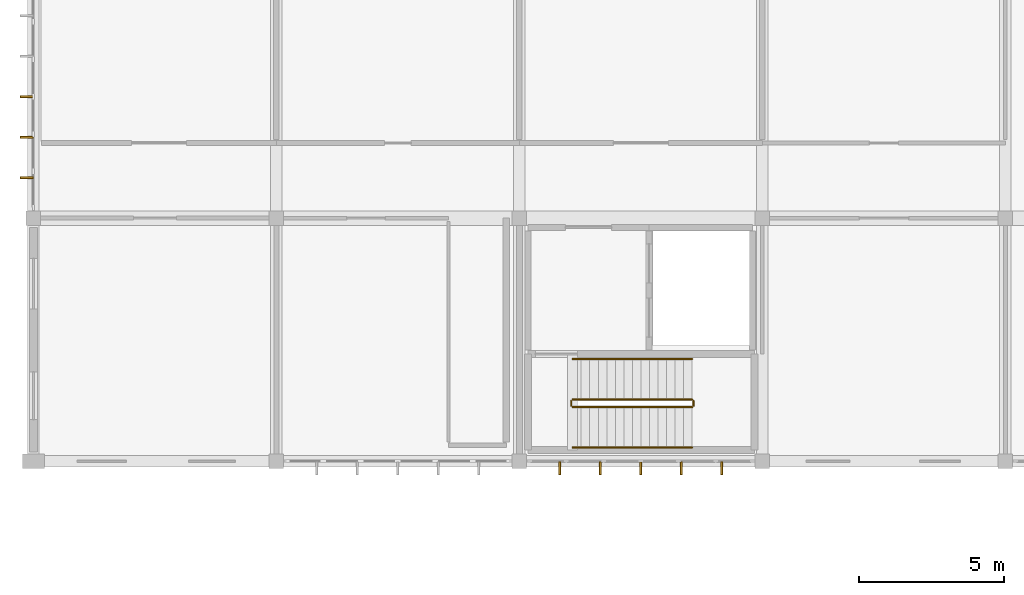
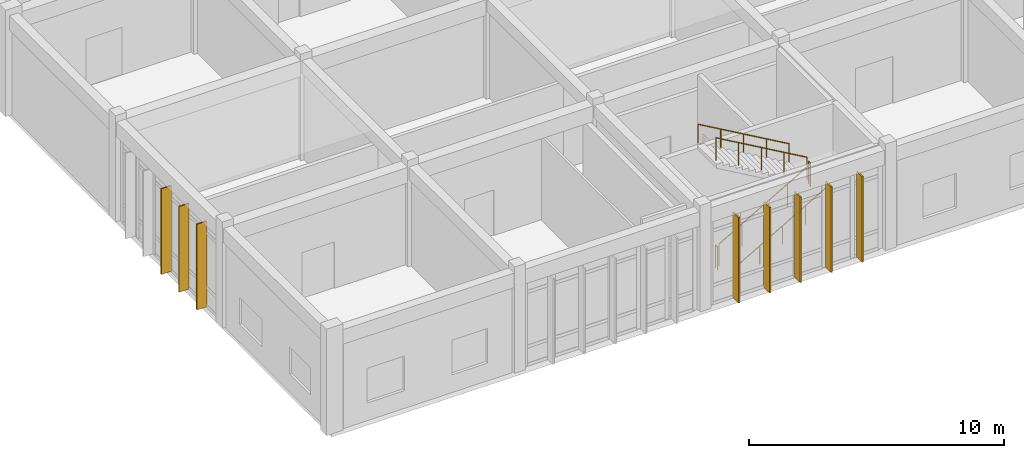
# One storey, part 116 of 134: 8 shading devices, 6 railings.
"""IFC4 building model written with IfcOpenShell, lengths in metres."""

from ifc_helpers import new_model, si_unit, direction, frame, origin, origin_2d, place, context, subcontext, project, spatial, rectangle, circle, extrude, material, material_profile, profile_set, type_object, element, save


model = new_model("IFC4")

# Units and contexts
model_context = context("Model", 3, precision=1e-05, world=origin(), true_north=direction((0.0, 1.0)))
body_context = subcontext(model_context, "Body", "Model", "MODEL_VIEW")
ifc_project = project(units=[si_unit("LENGTHUNIT", "METRE"), si_unit("AREAUNIT", "SQUARE_METRE"), si_unit("VOLUMEUNIT", "CUBIC_METRE"), si_unit("PLANEANGLEUNIT", "RADIAN"), si_unit("MASSUNIT", "GRAM", prefix="KILO")], contexts=[model_context])

# Site, building, storey
site_placement = place(None, origin())
site = spatial("IfcSite", under=ifc_project, at=site_placement, CompositionType="ELEMENT")
building_placement = place(site_placement, origin())
building = spatial("IfcBuilding", under=site, at=building_placement, Name="Bramfleet General Hospital", CompositionType="ELEMENT")
storey_placement = place(building_placement, frame((0.0, 0.0, 9.300048828125)))
storey = spatial("IfcBuildingStorey", under=building, at=storey_placement, Name="L02", CompositionType="ELEMENT", Elevation=9.300048828125)

# Railings
ifc_material_1 = material(Name="Powder-coated steel stair balustrade", Category="steel")
railing_type_1 = type_object("IfcRailingType", Name="RAIL-ST-GUARD", PredefinedType="GUARDRAIL", material=ifc_material_1)
railing_1_placement = place(storey_placement, frame((18.639892578125, 52.27001953125, 0.169921875)))
element("IfcRailing", 1, at=railing_1_placement, inside=storey, type_object=railing_type_1, Name="L02 ST-C2 stair guard 1", PredefinedType="GUARDRAIL", context=body_context, shape_type="SweptSolid", body=[
    extrude(circle(Radius=0.02392578125, at=origin_2d()), frame((0.0, 0.0, 1.076171875), z_axis=(0.866425082981, 0.0, 0.499307095465), x_axis=(0.0, 1.0, 0.0)), (0.0, 0.0, 1.0), 4.766845703125),
    extrude(circle(Radius=0.02099609375, at=origin_2d()), origin(), (0.0, 0.0, 1.0), 1.052001953125),
    extrude(circle(Radius=0.02099609375, at=origin_2d()), frame((1.032470703125, 0.0, 0.594970703125)), (0.0, 0.0, 1.0), 1.052001953125),
    extrude(circle(Radius=0.02099609375, at=origin_2d()), frame((2.06494140625, 0.0, 1.18994140625)), (0.0, 0.0, 1.0), 1.052001953125),
    extrude(circle(Radius=0.02099609375, at=origin_2d()), frame((3.09765625, 0.0, 1.78515625)), (0.0, 0.0, 1.0), 1.052001953125),
    extrude(circle(Radius=0.02099609375, at=origin_2d()), frame((4.130126953125, 0.0, 2.380126953125)), (0.0, 0.0, 1.0), 1.052001953125),
])
railing_2_placement = place(storey_placement, frame((22.820068359375, 52.320068359375, 2.550048828125)))
element("IfcRailing", 2, at=railing_2_placement, inside=storey, type_object=railing_type_1, Name="L02 ST-C2 stair guard 2", PredefinedType="GUARDRAIL", context=body_context, shape_type="SweptSolid", body=[
    extrude(circle(Radius=0.02392578125, at=origin_2d()), frame((0.0, 0.0, 1.076171875), z_axis=(0.0, 1.0, 0.0), x_axis=(-1.0, 0.0, 0.0)), (0.0, 0.0, 1.0), 0.159912109375),
    extrude(circle(Radius=0.02099609375, at=origin_2d()), origin(), (0.0, 0.0, 1.0), 1.052001953125),
    extrude(circle(Radius=0.02099609375, at=origin_2d()), frame((0.0, 0.159912109375, 0.0)), (0.0, 0.0, 1.0), 1.052001953125),
])
railing_3_placement = place(storey_placement, frame((22.77001953125, 52.530029296875, 2.719970703125)))
element("IfcRailing", 3, at=railing_3_placement, inside=storey, type_object=railing_type_1, Name="L02 ST-C2 stair guard 3", PredefinedType="GUARDRAIL", context=body_context, shape_type="SweptSolid", body=[
    extrude(circle(Radius=0.02392578125, at=origin_2d()), frame((0.0, 0.0, 1.076171875), z_axis=(-0.866447239463, 0.0, 0.499268646349), x_axis=(0.0, -1.0, 0.0)), (0.0, 0.0, 1.0), 4.766845703125),
    extrude(circle(Radius=0.02099609375, at=origin_2d()), origin(), (0.0, 0.0, 1.0), 1.052001953125),
    extrude(circle(Radius=0.02099609375, at=origin_2d()), frame((-1.032470703125, 0.0, 0.594970703125)), (0.0, 0.0, 1.0), 1.052001953125),
    extrude(circle(Radius=0.02099609375, at=origin_2d()), frame((-2.06494140625, 0.0, 1.18994140625)), (0.0, 0.0, 1.0), 1.052001953125),
    extrude(circle(Radius=0.02099609375, at=origin_2d()), frame((-3.09765625, 0.0, 1.784912109375)), (0.0, 0.0, 1.0), 1.052001953125),
    extrude(circle(Radius=0.02099609375, at=origin_2d()), frame((-4.130126953125, 0.0, 2.3798828125)), (0.0, 0.0, 1.0), 1.052001953125),
])
railing_4_placement = place(storey_placement, frame((18.590087890625, 52.320068359375, 0.0)))
element("IfcRailing", 4, at=railing_4_placement, inside=storey, type_object=railing_type_1, Name="L02 ST-C2 stair guard 4", PredefinedType="GUARDRAIL", context=body_context, shape_type="SweptSolid", body=[
    extrude(circle(Radius=0.02392578125, at=origin_2d()), frame((0.0, 0.0, 1.076171875), z_axis=(0.0, 1.0, 0.0), x_axis=(-1.0, 0.0, 0.0)), (0.0, 0.0, 1.0), 0.159912109375),
    extrude(circle(Radius=0.02099609375, at=origin_2d()), origin(), (0.0, 0.0, 1.0), 1.052001953125),
    extrude(circle(Radius=0.02099609375, at=origin_2d()), frame((0.0, 0.159912109375, 0.0)), (0.0, 0.0, 1.0), 1.052001953125),
])
ifc_material_2 = material(Name="Stainless steel 1.4301 stair handrail", Category="steel")
railing_type_2 = type_object("IfcRailingType", Name="RAIL-ST-HND", PredefinedType="HANDRAIL", material=ifc_material_2)
railing_5_placement = place(storey_placement, frame((18.639892578125, 50.8701171875, 0.169921875)))
element("IfcRailing", 5, at=railing_5_placement, inside=storey, type_object=railing_type_2, Name="L02 ST-C2 stair handrail 1", PredefinedType="HANDRAIL", context=body_context, shape_type="SweptSolid", body=[
    extrude(circle(Radius=0.02392578125, at=origin_2d()), frame((0.0, 0.0, 0.8759765625), z_axis=(0.866425082981, 0.0, 0.499307095465), x_axis=(0.0, 1.0, 0.0)), (0.0, 0.0, 1.0), 4.766845703125),
    extrude(circle(Radius=0.02099609375, at=origin_2d()), origin(), (0.0, 0.0, 1.0), 0.851806640625),
    extrude(circle(Radius=0.02099609375, at=origin_2d()), frame((1.032470703125, 0.0, 0.594970703125)), (0.0, 0.0, 1.0), 0.851806640625),
    extrude(circle(Radius=0.02099609375, at=origin_2d()), frame((2.06494140625, 0.0, 1.18994140625)), (0.0, 0.0, 1.0), 0.851806640625),
    extrude(circle(Radius=0.02099609375, at=origin_2d()), frame((3.09765625, 0.0, 1.78515625)), (0.0, 0.0, 1.0), 0.851806640625),
    extrude(circle(Radius=0.02099609375, at=origin_2d()), frame((4.130126953125, 0.0, 2.380126953125)), (0.0, 0.0, 1.0), 0.851806640625),
])
railing_6_placement = place(storey_placement, frame((22.77001953125, 53.929931640625, 2.719970703125)))
element("IfcRailing", 6, at=railing_6_placement, inside=storey, type_object=railing_type_2, Name="L02 ST-C2 stair handrail 2", PredefinedType="HANDRAIL", context=body_context, shape_type="SweptSolid", body=[
    extrude(circle(Radius=0.02392578125, at=origin_2d()), frame((0.0, 0.0, 0.8759765625), z_axis=(-0.866447239463, 0.0, 0.499268646349), x_axis=(0.0, -1.0, 0.0)), (0.0, 0.0, 1.0), 4.766845703125),
    extrude(circle(Radius=0.02099609375, at=origin_2d()), origin(), (0.0, 0.0, 1.0), 0.851806640625),
    extrude(circle(Radius=0.02099609375, at=origin_2d()), frame((-1.032470703125, 0.0, 0.594970703125)), (0.0, 0.0, 1.0), 0.851806640625),
    extrude(circle(Radius=0.02099609375, at=origin_2d()), frame((-2.06494140625, 0.0, 1.18994140625)), (0.0, 0.0, 1.0), 0.851806640625),
    extrude(circle(Radius=0.02099609375, at=origin_2d()), frame((-3.09765625, 0.0, 1.784912109375)), (0.0, 0.0, 1.0), 0.851806640625),
    extrude(circle(Radius=0.02099609375, at=origin_2d()), frame((-4.130126953125, 0.0, 2.3798828125)), (0.0, 0.0, 1.0), 0.851806640625),
])

# Shading devices
ifc_material_3 = material(Name="Treated European larch timber", Category="wood")
ifc_material_profile = material_profile(ifc_material_3, rectangle(XDim=0.06494140625, YDim=0.449951171875, at=origin_2d()), Name="LARCH FIN 450x65")
ifc_profile_set = profile_set([ifc_material_profile], Name="Treated European larch timber")
shading_device_type = type_object("IfcShadingDeviceType", Name="SHD-FIN-450", PredefinedType="USERDEFINED", material=ifc_profile_set)
for number, where, z_axis, x_axis, name in (
    (7, (-0.239990234375, 60.199951171875, -0.02001953125), (0.0, 0.0, 1.0), (0.0, 1.0, 0.0), "L02 Larch Timber Shading Fin 361"),
    (8, (-0.239990234375, 61.60009765625, -0.02001953125), (0.0, 0.0, 1.0), (0.0, 1.0, 0.0), "L02 Larch Timber Shading Fin 362"),
    (9, (-0.239990234375, 63.0, -0.02001953125), (0.0, 0.0, 1.0), (0.0, 1.0, 0.0), "L02 Larch Timber Shading Fin 363"),
    (10, (23.800048828125, 50.159912109375, -0.02001953125), (0.0, 0.0, 1.0), (-1.0, 0.0, 0.0), "L02 Larch Timber Shading Fin 509"),
    (11, (22.39990234375, 50.159912109375, -0.02001953125), (0.0, 0.0, 1.0), (-1.0, 0.0, 0.0), "L02 Larch Timber Shading Fin 510"),
    (12, (21.0, 50.159912109375, -0.02001953125), (0.0, 0.0, 1.0), (-1.0, 0.0, 0.0), "L02 Larch Timber Shading Fin 511"),
    (13, (19.60009765625, 50.159912109375, -0.02001953125), (0.0, 0.0, 1.0), (-1.0, 0.0, 0.0), "L02 Larch Timber Shading Fin 512"),
    (14, (18.199951171875, 50.159912109375, -0.02001953125), (0.0, 0.0, 1.0), (-1.0, 0.0, 0.0), "L02 Larch Timber Shading Fin 513"),
):
    element("IfcShadingDevice", number, at=place(storey_placement, frame(where, z_axis=z_axis, x_axis=x_axis)), inside=storey, type_object=shading_device_type, Name=name, ObjectType="Fin", PredefinedType="USERDEFINED", context=body_context, shape_type="SweptSolid", body=[
        extrude(rectangle(XDim=0.06494140625, YDim=0.449951171875, at=origin_2d()), origin(), (0.0, 0.0, 1.0), 4.099853515625),
    ])

save(model, "model.ifc")
